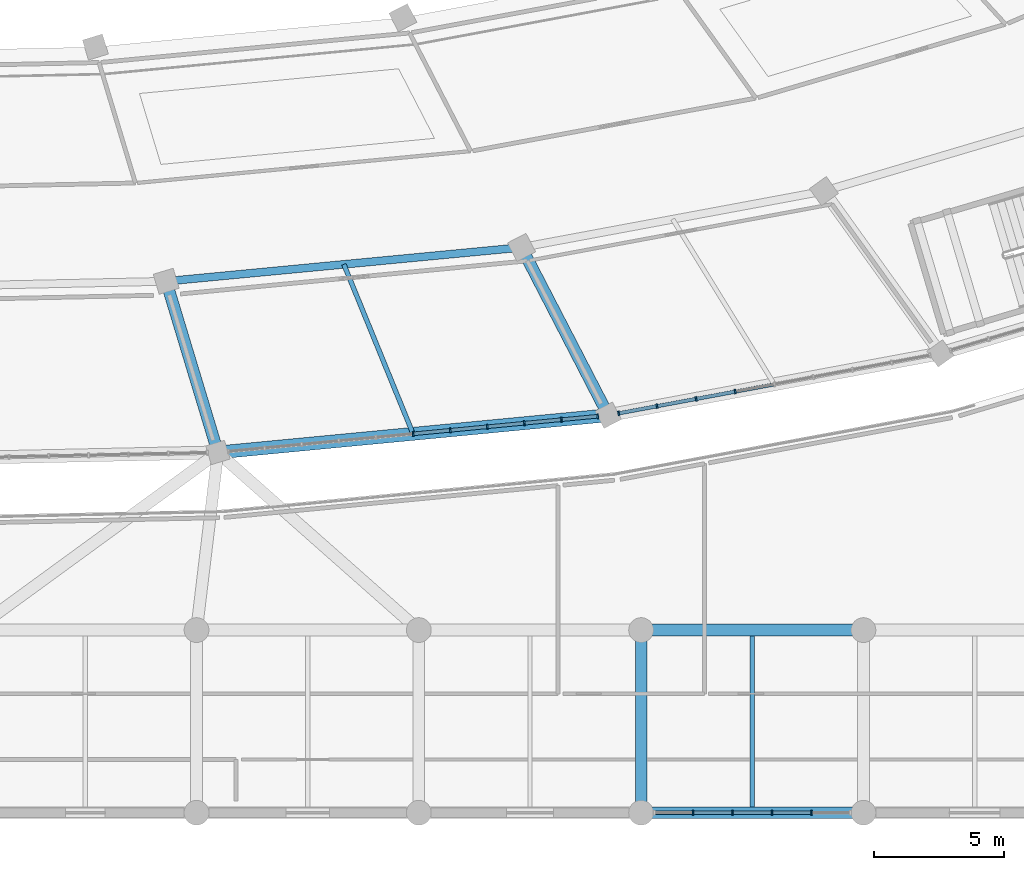
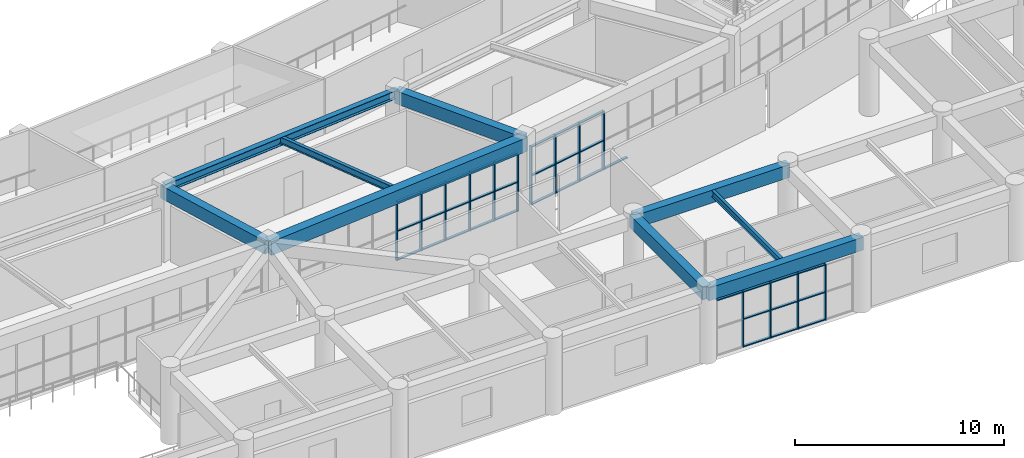
# One storey, part 32 of 141: 49 members, 9 beams, 3 elements without a shape of their own.
"""IFC4 building model written with IfcOpenShell, lengths in metres."""

from ifc_helpers import new_model, si_unit, direction, frame, origin, origin_2d, place, context, subcontext, project, spatial, rectangle, i_section, extrude, material, layer, layer_set, material_profile, profile_set, type_object, element, aggregate, save


model = new_model("IFC4")

# Units and contexts
model_context = context("Model", 3, precision=1e-05, world=origin(), true_north=direction((0.0, 1.0)))
body_context = subcontext(model_context, "Body", "Model", "MODEL_VIEW")
ifc_project = project(units=[si_unit("LENGTHUNIT", "METRE"), si_unit("AREAUNIT", "SQUARE_METRE"), si_unit("VOLUMEUNIT", "CUBIC_METRE"), si_unit("PLANEANGLEUNIT", "RADIAN"), si_unit("MASSUNIT", "GRAM", prefix="KILO")], contexts=[model_context])

# Site, building, storey
site_placement = place(None, origin())
site = spatial("IfcSite", under=ifc_project, at=site_placement, CompositionType="ELEMENT")
building_placement = place(site_placement, origin())
building = spatial("IfcBuilding", under=site, at=building_placement, Name="Mphavela Belvedere Stadium", CompositionType="ELEMENT")
storey_placement = place(building_placement, frame((0.0, 0.0, 14.699951171875)))
storey = spatial("IfcBuildingStorey", under=building, at=storey_placement, Name="L03", CompositionType="ELEMENT", Elevation=14.699951171875)

# Beams
ifc_material_1 = material(Name="Steel S355", Category="steel")
ifc_material_profile_1 = material_profile(ifc_material_1, i_section(OverallWidth=0.169921875, OverallDepth=0.360107421875, WebThickness=0.008056640625, FlangeThickness=0.0126953125, at=origin_2d()), Name="IPE 360")
ifc_profile_set_1 = profile_set([ifc_material_profile_1], Name="Steel S355")
beam_type_1 = type_object("IfcBeamType", Name="BM-JOIST-IPE360", PredefinedType="JOIST", material=ifc_profile_set_1)
beam_1_placement = place(storey_placement, frame((157.592529296875, 0.22509765625, 4.06005859375), z_axis=(0.0, 1.0, 0.0), x_axis=(-1.0, 0.0, 0.0)))
element("IfcBeam", 1, at=beam_1_placement, inside=storey, type_object=beam_type_1, Name="South Axial Triumphal Peristyle Portico secondary joist L03 19-1", PredefinedType="JOIST", context=body_context, shape_type="SweptSolid", body=[
    extrude(i_section(OverallWidth=0.169921875, OverallDepth=0.360107421875, WebThickness=0.008056640625, FlangeThickness=0.0126953125, at=origin_2d()), origin(), (0.0, 0.0, 1.0), 6.5498046875),
])
ifc_material_2 = material(Name="Steel S355", Category="steel")
ifc_material_profile_2 = material_profile(ifc_material_2, i_section(OverallWidth=0.179931640625, OverallDepth=0.39990234375, WebThickness=0.008544921875, FlangeThickness=0.013427734375, at=origin_2d()), Name="IPE 400")
ifc_profile_set_2 = profile_set([ifc_material_profile_2], Name="Steel S355")
beam_type_2 = type_object("IfcBeamType", Name="BM-JOIST-IPE400", PredefinedType="JOIST", material=ifc_profile_set_2)
beam_2_placement = place(storey_placement, frame((141.94140625, 21.015380859375, 4.050048828125), z_axis=(0.378004122754, -0.925803911841, 0.0), x_axis=(0.925803911841, 0.378004122754, 0.0)))
element("IfcBeam", 2, at=beam_2_placement, inside=storey, type_object=beam_type_2, Name="Concourse floor joist L03-38", PredefinedType="JOIST", context=body_context, shape_type="SweptSolid", body=[
    extrude(i_section(OverallWidth=0.179931640625, OverallDepth=0.39990234375, WebThickness=0.008544921875, FlangeThickness=0.013427734375, at=origin_2d()), origin(), (0.0, 0.0, 1.0), 7.0166015625),
])
ifc_material_3 = material(Name="Concrete C40/50", Category="concrete")
ifc_material_profile_3 = material_profile(ifc_material_3, rectangle(XDim=0.449951171875, YDim=0.75, at=origin_2d()), Name="RC 450x750")
ifc_profile_set_3 = profile_set([ifc_material_profile_3], Name="Concrete C40/50")
beam_type_3 = type_object("IfcBeamType", Name="BM-RC450x750", PredefinedType="BEAM", material=ifc_profile_set_3)
beam_3_placement = place(storey_placement, frame((135.1328125, 20.365966796875, 3.875), z_axis=(0.28918755919, -0.95727245631, 0.0), x_axis=(0.95727245631, 0.28918755919, 0.0)))
element("IfcBeam", 3, at=beam_3_placement, inside=storey, type_object=beam_type_3, Name="Radial concourse girder L03 R3R4-38", PredefinedType="BEAM", context=body_context, shape_type="SweptSolid", body=[
    extrude(rectangle(XDim=0.449951171875, YDim=0.75, at=origin_2d()), origin(), (0.0, 0.0, 1.0), 6.8525390625),
])
beam_4_placement = place(storey_placement, frame((148.750244140625, 21.66455078125, 3.875), z_axis=(0.458951286165, -0.888461432436, 0.0), x_axis=(0.888461432436, 0.458951286165, 0.0)))
element("IfcBeam", 4, at=beam_4_placement, inside=storey, type_object=beam_type_3, Name="Radial concourse girder L03 R3R4-39", PredefinedType="BEAM", context=body_context, shape_type="SweptSolid", body=[
    extrude(rectangle(XDim=0.449951171875, YDim=0.75, at=origin_2d()), origin(), (0.0, 0.0, 1.0), 7.2392578125),
])
beam_5_placement = place(storey_placement, frame((153.3330078125, 0.0, 3.864990234375), z_axis=(1.0, 0.0, 0.0), x_axis=(0.0, 1.0, 0.0)))
element("IfcBeam", 5, at=beam_5_placement, inside=storey, type_object=beam_type_3, Name="South Axial Triumphal Peristyle Portico entablature beam X L03 19-1", PredefinedType="BEAM", context=body_context, shape_type="SweptSolid", body=[
    extrude(rectangle(XDim=0.449951171875, YDim=0.75, at=origin_2d()), origin(), (0.0, 0.0, 1.0), 8.51904296875),
])
beam_6_placement = place(storey_placement, frame((153.3330078125, 0.0, 3.864990234375), z_axis=(0.0, 1.0, 0.0), x_axis=(-1.0, 0.0, 0.0)))
element("IfcBeam", 6, at=beam_6_placement, inside=storey, type_object=beam_type_3, Name="South Axial Triumphal Peristyle Portico entablature beam Y L03 19-1", PredefinedType="BEAM", context=body_context, shape_type="SweptSolid", body=[
    extrude(rectangle(XDim=0.449951171875, YDim=0.75, at=origin_2d()), origin(), (0.0, 0.0, 1.0), 7.0),
])
beam_7_placement = place(storey_placement, frame((153.3330078125, 7.0, 3.864990234375), z_axis=(1.0, 0.0, 0.0), x_axis=(0.0, 1.0, 0.0)))
element("IfcBeam", 7, at=beam_7_placement, inside=storey, type_object=beam_type_3, Name="South Axial Triumphal Peristyle Portico entablature beam X L03 19-2", PredefinedType="BEAM", context=body_context, shape_type="SweptSolid", body=[
    extrude(rectangle(XDim=0.449951171875, YDim=0.75, at=origin_2d()), origin(), (0.0, 0.0, 1.0), 8.51904296875),
])
ifc_material_4 = material(Name="Concrete C40/50", Category="concrete")
ifc_material_profile_4 = material_profile(ifc_material_4, rectangle(XDim=0.5, YDim=0.800048828125, at=origin_2d()), Name="RC 500x800")
ifc_profile_set_4 = profile_set([ifc_material_profile_4], Name="Concrete C40/50")
beam_type_4 = type_object("IfcBeamType", Name="BM-SPANDREL-800", PredefinedType="SPANDREL", material=ifc_profile_set_4)
beam_8_placement = place(storey_placement, frame((137.114501953125, 13.80615234375, 3.85009765625), z_axis=(0.995483415661, 0.094935605244, 0.0), x_axis=(-0.094935605244, 0.995483415661, 0.0)))
element("IfcBeam", 8, at=beam_8_placement, inside=storey, type_object=beam_type_4, Name="Circumferential girder L03 R4-38", PredefinedType="SPANDREL", context=body_context, shape_type="SweptSolid", body=[
    extrude(rectangle(XDim=0.5, YDim=0.800048828125, at=origin_2d()), origin(), (0.0, 0.0, 1.0), 15.026123046875),
])
ifc_material_5 = material(Name="Steel S355", Category="steel")
ifc_material_profile_5 = material_profile(ifc_material_5, i_section(OverallWidth=0.300048828125, OverallDepth=0.489990234375, WebThickness=0.011962890625, FlangeThickness=0.02294921875, at=origin_2d()), Name="HEA 500")
ifc_profile_set_5 = profile_set([ifc_material_profile_5], Name="Steel S355")
beam_type_5 = type_object("IfcBeamType", Name="BM-STEEL-HEA500", PredefinedType="BEAM", material=ifc_profile_set_5)
beam_9_placement = place(storey_placement, frame((135.1328125, 20.365966796875, 4.005126953125), z_axis=(0.995483834103, 0.094931217412, 0.0), x_axis=(-0.094931217412, 0.995483834103, 0.0)))
element("IfcBeam", 9, at=beam_9_placement, inside=storey, type_object=beam_type_5, Name="Circumferential girder L03 R3-38", PredefinedType="BEAM", context=body_context, shape_type="SweptSolid", body=[
    extrude(i_section(OverallWidth=0.300048828125, OverallDepth=0.489990234375, WebThickness=0.011962890625, FlangeThickness=0.02294921875, at=origin_2d()), origin(), (0.0, 0.0, 1.0), 13.67919921875),
])

# Curtain wall, members
ifc_material_6 = material(Name="Anodised bronze unitised curtain wall framing")
ifc_layer_1 = layer(ifc_material_6, 0.18505859375)
ifc_layer_set_1 = layer_set([ifc_layer_1], Name="Anodised bronze unitised curtain wall framing")
curtain_wall_type_1 = type_object("IfcCurtainWallType", Name="CW-UNIT-02", PredefinedType="USERDEFINED", material=ifc_layer_set_1)
curtain_wall_1_placement = place(storey_placement, origin())
curtain_wall_1 = element("IfcCurtainWall", 10, at=curtain_wall_1_placement, inside=storey, type_object=curtain_wall_type_1, Name="Belvedere colonnade curtain wall L03-38", ObjectType="UNITISED CURTAIN WALL", PredefinedType="USERDEFINED")
ifc_material_7 = material(Name="Anodised bronze extruded aluminium", Category="aluminium")
ifc_material_profile_6 = material_profile(ifc_material_7, rectangle(XDim=0.179931640625, YDim=0.06494140625, at=origin_2d()), Name="CW-MUL 180x65")
ifc_profile_set_6 = profile_set([ifc_material_profile_6], Name="Anodised bronze extruded aluminium")
member_type_1 = type_object("IfcMemberType", Name="CWM-180x65", PredefinedType="MULLION", material=ifc_profile_set_6)
member_1_placement = place(storey_placement, frame((144.59375, 14.519287109375, 0.0), z_axis=(0.0, 0.0, 1.0), x_axis=(-0.094929381996, 0.99548400913, 0.0)))
member_1 = element("IfcMember", 11, at=member_1_placement, type_object=member_type_1, Name="CW-02 mullion 6", PredefinedType="MULLION", context=body_context, shape_type="SweptSolid", body=[
    extrude(rectangle(XDim=0.179931640625, YDim=0.06494140625, at=origin_2d()), origin(), (0.0, 0.0, 1.0), 3.420166015625),
])
member_2_placement = place(storey_placement, frame((146.015380859375, 14.655029296875, 0.0), z_axis=(0.0, 0.0, 1.0), x_axis=(-0.094929381996, 0.99548400913, 0.0)))
member_2 = element("IfcMember", 12, at=member_2_placement, type_object=member_type_1, Name="CW-02 mullion 7", PredefinedType="MULLION", context=body_context, shape_type="SweptSolid", body=[
    extrude(rectangle(XDim=0.179931640625, YDim=0.06494140625, at=origin_2d()), origin(), (0.0, 0.0, 1.0), 3.420166015625),
])
member_3_placement = place(storey_placement, frame((147.436767578125, 14.79052734375, 0.0), z_axis=(0.0, 0.0, 1.0), x_axis=(-0.094929381996, 0.99548400913, 0.0)))
member_3 = element("IfcMember", 13, at=member_3_placement, type_object=member_type_1, Name="CW-02 mullion 8", PredefinedType="MULLION", context=body_context, shape_type="SweptSolid", body=[
    extrude(rectangle(XDim=0.179931640625, YDim=0.06494140625, at=origin_2d()), origin(), (0.0, 0.0, 1.0), 3.420166015625),
])
member_4_placement = place(storey_placement, frame((148.8583984375, 14.926025390625, 0.0), z_axis=(0.0, 0.0, 1.0), x_axis=(-0.094929381996, 0.99548400913, 0.0)))
member_4 = element("IfcMember", 14, at=member_4_placement, type_object=member_type_1, Name="CW-02 mullion 9", PredefinedType="MULLION", context=body_context, shape_type="SweptSolid", body=[
    extrude(rectangle(XDim=0.179931640625, YDim=0.06494140625, at=origin_2d()), origin(), (0.0, 0.0, 1.0), 3.420166015625),
])
member_5_placement = place(storey_placement, frame((150.280029296875, 15.0615234375, 0.0), z_axis=(0.0, 0.0, 1.0), x_axis=(-0.094929381996, 0.99548400913, 0.0)))
member_5 = element("IfcMember", 15, at=member_5_placement, type_object=member_type_1, Name="CW-02 mullion 10", PredefinedType="MULLION", context=body_context, shape_type="SweptSolid", body=[
    extrude(rectangle(XDim=0.179931640625, YDim=0.06494140625, at=origin_2d()), origin(), (0.0, 0.0, 1.0), 3.420166015625),
])
member_6_placement = place(storey_placement, frame((151.669189453125, 15.194091796875, 0.0), z_axis=(0.0, 0.0, 1.0), x_axis=(-0.094929381996, 0.99548400913, 0.0)))
member_6 = element("IfcMember", 16, at=member_6_placement, type_object=member_type_1, Name="CW-02 mullion 11", PredefinedType="MULLION", context=body_context, shape_type="SweptSolid", body=[
    extrude(rectangle(XDim=0.179931640625, YDim=0.06494140625, at=origin_2d()), origin(), (0.0, 0.0, 1.0), 3.420166015625),
])

ifc_material_8 = material(Name="Anodised bronze unitised curtain wall framing")
ifc_layer_2 = layer(ifc_material_8, 0.18994140625)
ifc_layer_set_2 = layer_set([ifc_layer_2], Name="Anodised bronze unitised curtain wall framing")
curtain_wall_type_2 = type_object("IfcCurtainWallType", Name="CW-UNIT-03", PredefinedType="USERDEFINED", material=ifc_layer_set_2)
curtain_wall_2_placement = place(storey_placement, origin())
curtain_wall_2 = element("IfcCurtainWall", 17, at=curtain_wall_2_placement, inside=storey, type_object=curtain_wall_type_2, Name="Belvedere colonnade curtain wall L03-39", ObjectType="UNITISED CURTAIN WALL", PredefinedType="USERDEFINED")
member_7_placement = place(storey_placement, frame((152.471435546875, 15.306884765625, 0.0), z_axis=(0.0, 0.0, 1.0), x_axis=(-0.18308790129, 0.983096546836, 0.0)))
member_7 = element("IfcMember", 18, at=member_7_placement, type_object=member_type_1, Name="CW-03 mullion 1", PredefinedType="MULLION", context=body_context, shape_type="SweptSolid", body=[
    extrude(rectangle(XDim=0.179931640625, YDim=0.06494140625, at=origin_2d()), origin(), (0.0, 0.0, 1.0), 3.420166015625),
])
member_8_placement = place(storey_placement, frame((153.93896484375, 15.580078125, 0.0), z_axis=(0.0, 0.0, 1.0), x_axis=(-0.18308790129, 0.983096546836, 0.0)))
member_8 = element("IfcMember", 19, at=member_8_placement, type_object=member_type_1, Name="CW-03 mullion 2", PredefinedType="MULLION", context=body_context, shape_type="SweptSolid", body=[
    extrude(rectangle(XDim=0.179931640625, YDim=0.06494140625, at=origin_2d()), origin(), (0.0, 0.0, 1.0), 3.420166015625),
])
member_9_placement = place(storey_placement, frame((155.438232421875, 15.859375, 0.0), z_axis=(0.0, 0.0, 1.0), x_axis=(-0.18308790129, 0.983096546836, 0.0)))
member_9 = element("IfcMember", 20, at=member_9_placement, type_object=member_type_1, Name="CW-03 mullion 3", PredefinedType="MULLION", context=body_context, shape_type="SweptSolid", body=[
    extrude(rectangle(XDim=0.179931640625, YDim=0.06494140625, at=origin_2d()), origin(), (0.0, 0.0, 1.0), 3.420166015625),
])
member_10_placement = place(storey_placement, frame((156.937744140625, 16.138671875, 0.0), z_axis=(0.0, 0.0, 1.0), x_axis=(-0.18308790129, 0.983096546836, 0.0)))
member_10 = element("IfcMember", 21, at=member_10_placement, type_object=member_type_1, Name="CW-03 mullion 4", PredefinedType="MULLION", context=body_context, shape_type="SweptSolid", body=[
    extrude(rectangle(XDim=0.179931640625, YDim=0.06494140625, at=origin_2d()), origin(), (0.0, 0.0, 1.0), 3.420166015625),
])

ifc_material_9 = material(Name="Anodised bronze unitised curtain wall framing")
ifc_layer_3 = layer(ifc_material_9, 0.179931640625)
ifc_layer_set_3 = layer_set([ifc_layer_3], Name="Anodised bronze unitised curtain wall framing")
curtain_wall_type_3 = type_object("IfcCurtainWallType", Name="CW-UNIT-01", PredefinedType="USERDEFINED", material=ifc_layer_set_3)
curtain_wall_3_placement = place(storey_placement, origin())
curtain_wall_3 = element("IfcCurtainWall", 22, at=curtain_wall_3_placement, inside=storey, type_object=curtain_wall_type_3, Name="South Axial Triumphal Peristyle Portico gallery curtain wall L03-19", ObjectType="UNITISED CURTAIN WALL", PredefinedType="USERDEFINED")
member_11_placement = place(storey_placement, frame((159.864501953125, 0.0, 0.0), z_axis=(0.0, 0.0, 1.0), x_axis=(0.0, -1.0, 0.0)))
member_11 = element("IfcMember", 23, at=member_11_placement, type_object=member_type_1, Name="CW-01 mullion 2", PredefinedType="MULLION", context=body_context, shape_type="SweptSolid", body=[
    extrude(rectangle(XDim=0.179931640625, YDim=0.06494140625, at=origin_2d()), origin(), (0.0, 0.0, 1.0), 3.260009765625),
])
member_12_placement = place(storey_placement, frame((158.349853515625, 0.0, 0.0), z_axis=(0.0, 0.0, 1.0), x_axis=(0.0, -1.0, 0.0)))
member_12 = element("IfcMember", 24, at=member_12_placement, type_object=member_type_1, Name="CW-01 mullion 3", PredefinedType="MULLION", context=body_context, shape_type="SweptSolid", body=[
    extrude(rectangle(XDim=0.179931640625, YDim=0.06494140625, at=origin_2d()), origin(), (0.0, 0.0, 1.0), 3.260009765625),
])
member_13_placement = place(storey_placement, frame((156.835205078125, 0.0, 0.0), z_axis=(0.0, 0.0, 1.0), x_axis=(0.0, -1.0, 0.0)))
member_13 = element("IfcMember", 25, at=member_13_placement, type_object=member_type_1, Name="CW-01 mullion 4", PredefinedType="MULLION", context=body_context, shape_type="SweptSolid", body=[
    extrude(rectangle(XDim=0.179931640625, YDim=0.06494140625, at=origin_2d()), origin(), (0.0, 0.0, 1.0), 3.260009765625),
])
member_14_placement = place(storey_placement, frame((155.320556640625, 0.0, 0.0), z_axis=(0.0, 0.0, 1.0), x_axis=(0.0, -1.0, 0.0)))
member_14 = element("IfcMember", 26, at=member_14_placement, type_object=member_type_1, Name="CW-01 mullion 5", PredefinedType="MULLION", context=body_context, shape_type="SweptSolid", body=[
    extrude(rectangle(XDim=0.179931640625, YDim=0.06494140625, at=origin_2d()), origin(), (0.0, 0.0, 1.0), 3.260009765625),
])

# Member
ifc_material_10 = material(Name="Anodised bronze extruded aluminium", Category="aluminium")
ifc_material_profile_7 = material_profile(ifc_material_10, rectangle(XDim=0.139892578125, YDim=0.06005859375, at=origin_2d()), Name="CW-TRN 140x60")
ifc_profile_set_7 = profile_set([ifc_material_profile_7], Name="Anodised bronze extruded aluminium")
member_type_2 = type_object("IfcMemberType", Name="CWT-140x60", PredefinedType="USERDEFINED", material=ifc_profile_set_7)
member_15_placement = place(storey_placement, frame((144.6259765625, 14.5224609375, 0.030029296875), z_axis=(0.995484195822, 0.094927424215, 0.0), x_axis=(-0.094927424215, 0.995484195822, 0.0)))
member_15 = element("IfcMember", 27, at=member_15_placement, type_object=member_type_2, Name="CW-02 transom 6.1", ObjectType="TRANSOM", PredefinedType="USERDEFINED", context=body_context, shape_type="SweptSolid", body=[
    extrude(rectangle(XDim=0.139892578125, YDim=0.06005859375, at=origin_2d()), origin(), (0.0, 0.0, 1.0), 1.363037109375),
])

member_16_placement = place(storey_placement, frame((144.6259765625, 14.5224609375, 1.7099609375), z_axis=(0.995484195822, 0.094927424215, 0.0), x_axis=(-0.094927424215, 0.995484195822, 0.0)))
member_16 = element("IfcMember", 28, at=member_16_placement, type_object=member_type_2, Name="CW-02 transom 6.2", ObjectType="TRANSOM", PredefinedType="USERDEFINED", context=body_context, shape_type="SweptSolid", body=[
    extrude(rectangle(XDim=0.139892578125, YDim=0.06005859375, at=origin_2d()), origin(), (0.0, 0.0, 1.0), 1.363037109375),
])

member_17_placement = place(storey_placement, frame((144.6259765625, 14.5224609375, 3.39013671875), z_axis=(0.995484195822, 0.094927424215, 0.0), x_axis=(-0.094927424215, 0.995484195822, 0.0)))
member_17 = element("IfcMember", 29, at=member_17_placement, type_object=member_type_2, Name="CW-02 transom 6.3", ObjectType="TRANSOM", PredefinedType="USERDEFINED", context=body_context, shape_type="SweptSolid", body=[
    extrude(rectangle(XDim=0.139892578125, YDim=0.06005859375, at=origin_2d()), origin(), (0.0, 0.0, 1.0), 1.363037109375),
])

member_18_placement = place(storey_placement, frame((146.047607421875, 14.657958984375, 0.030029296875), z_axis=(0.995484195822, 0.094927424215, 0.0), x_axis=(-0.094927424215, 0.995484195822, 0.0)))
member_18 = element("IfcMember", 30, at=member_18_placement, type_object=member_type_2, Name="CW-02 transom 7.1", ObjectType="TRANSOM", PredefinedType="USERDEFINED", context=body_context, shape_type="SweptSolid", body=[
    extrude(rectangle(XDim=0.139892578125, YDim=0.06005859375, at=origin_2d()), origin(), (0.0, 0.0, 1.0), 1.363037109375),
])

member_19_placement = place(storey_placement, frame((146.047607421875, 14.657958984375, 1.7099609375), z_axis=(0.995484195822, 0.094927424215, 0.0), x_axis=(-0.094927424215, 0.995484195822, 0.0)))
member_19 = element("IfcMember", 31, at=member_19_placement, type_object=member_type_2, Name="CW-02 transom 7.2", ObjectType="TRANSOM", PredefinedType="USERDEFINED", context=body_context, shape_type="SweptSolid", body=[
    extrude(rectangle(XDim=0.139892578125, YDim=0.06005859375, at=origin_2d()), origin(), (0.0, 0.0, 1.0), 1.363037109375),
])

member_20_placement = place(storey_placement, frame((146.047607421875, 14.657958984375, 3.39013671875), z_axis=(0.995484195822, 0.094927424215, 0.0), x_axis=(-0.094927424215, 0.995484195822, 0.0)))
member_20 = element("IfcMember", 32, at=member_20_placement, type_object=member_type_2, Name="CW-02 transom 7.3", ObjectType="TRANSOM", PredefinedType="USERDEFINED", context=body_context, shape_type="SweptSolid", body=[
    extrude(rectangle(XDim=0.139892578125, YDim=0.06005859375, at=origin_2d()), origin(), (0.0, 0.0, 1.0), 1.363037109375),
])

member_21_placement = place(storey_placement, frame((147.46923828125, 14.793701171875, 0.030029296875), z_axis=(0.995482581407, 0.094944352734, 0.0), x_axis=(-0.094944352734, 0.995482581407, 0.0)))
member_21 = element("IfcMember", 33, at=member_21_placement, type_object=member_type_2, Name="CW-02 transom 8.1", ObjectType="TRANSOM", PredefinedType="USERDEFINED", context=body_context, shape_type="SweptSolid", body=[
    extrude(rectangle(XDim=0.139892578125, YDim=0.06005859375, at=origin_2d()), origin(), (0.0, 0.0, 1.0), 1.36279296875),
])

member_22_placement = place(storey_placement, frame((147.46923828125, 14.793701171875, 1.7099609375), z_axis=(0.995482581407, 0.094944352734, 0.0), x_axis=(-0.094944352734, 0.995482581407, 0.0)))
member_22 = element("IfcMember", 34, at=member_22_placement, type_object=member_type_2, Name="CW-02 transom 8.2", ObjectType="TRANSOM", PredefinedType="USERDEFINED", context=body_context, shape_type="SweptSolid", body=[
    extrude(rectangle(XDim=0.139892578125, YDim=0.06005859375, at=origin_2d()), origin(), (0.0, 0.0, 1.0), 1.36279296875),
])

member_23_placement = place(storey_placement, frame((147.46923828125, 14.793701171875, 3.39013671875), z_axis=(0.995482581407, 0.094944352734, 0.0), x_axis=(-0.094944352734, 0.995482581407, 0.0)))
member_23 = element("IfcMember", 35, at=member_23_placement, type_object=member_type_2, Name="CW-02 transom 8.3", ObjectType="TRANSOM", PredefinedType="USERDEFINED", context=body_context, shape_type="SweptSolid", body=[
    extrude(rectangle(XDim=0.139892578125, YDim=0.06005859375, at=origin_2d()), origin(), (0.0, 0.0, 1.0), 1.36279296875),
])

member_24_placement = place(storey_placement, frame((148.890625, 14.92919921875, 0.030029296875), z_axis=(0.995484195822, 0.094927424215, 0.0), x_axis=(-0.094927424215, 0.995484195822, 0.0)))
member_24 = element("IfcMember", 36, at=member_24_placement, type_object=member_type_2, Name="CW-02 transom 9.1", ObjectType="TRANSOM", PredefinedType="USERDEFINED", context=body_context, shape_type="SweptSolid", body=[
    extrude(rectangle(XDim=0.139892578125, YDim=0.06005859375, at=origin_2d()), origin(), (0.0, 0.0, 1.0), 1.363037109375),
])

member_25_placement = place(storey_placement, frame((148.890625, 14.92919921875, 1.7099609375), z_axis=(0.995484195822, 0.094927424215, 0.0), x_axis=(-0.094927424215, 0.995484195822, 0.0)))
member_25 = element("IfcMember", 37, at=member_25_placement, type_object=member_type_2, Name="CW-02 transom 9.2", ObjectType="TRANSOM", PredefinedType="USERDEFINED", context=body_context, shape_type="SweptSolid", body=[
    extrude(rectangle(XDim=0.139892578125, YDim=0.06005859375, at=origin_2d()), origin(), (0.0, 0.0, 1.0), 1.363037109375),
])

member_26_placement = place(storey_placement, frame((148.890625, 14.92919921875, 3.39013671875), z_axis=(0.995484195822, 0.094927424215, 0.0), x_axis=(-0.094927424215, 0.995484195822, 0.0)))
member_26 = element("IfcMember", 38, at=member_26_placement, type_object=member_type_2, Name="CW-02 transom 9.3", ObjectType="TRANSOM", PredefinedType="USERDEFINED", context=body_context, shape_type="SweptSolid", body=[
    extrude(rectangle(XDim=0.139892578125, YDim=0.06005859375, at=origin_2d()), origin(), (0.0, 0.0, 1.0), 1.363037109375),
])

member_27_placement = place(storey_placement, frame((150.312255859375, 15.064697265625, 0.030029296875), z_axis=(0.995489697702, 0.09486970944, 0.0), x_axis=(-0.09486970944, 0.995489697702, 0.0)))
member_27 = element("IfcMember", 39, at=member_27_placement, type_object=member_type_2, Name="CW-02 transom 10.1", ObjectType="TRANSOM", PredefinedType="USERDEFINED", context=body_context, shape_type="SweptSolid", body=[
    extrude(rectangle(XDim=0.139892578125, YDim=0.06005859375, at=origin_2d()), origin(), (0.0, 0.0, 1.0), 1.33056640625),
])

member_28_placement = place(storey_placement, frame((150.312255859375, 15.064697265625, 1.7099609375), z_axis=(0.995489697702, 0.09486970944, 0.0), x_axis=(-0.09486970944, 0.995489697702, 0.0)))
member_28 = element("IfcMember", 40, at=member_28_placement, type_object=member_type_2, Name="CW-02 transom 10.2", ObjectType="TRANSOM", PredefinedType="USERDEFINED", context=body_context, shape_type="SweptSolid", body=[
    extrude(rectangle(XDim=0.139892578125, YDim=0.06005859375, at=origin_2d()), origin(), (0.0, 0.0, 1.0), 1.33056640625),
])

member_29_placement = place(storey_placement, frame((150.312255859375, 15.064697265625, 3.39013671875), z_axis=(0.995489697702, 0.09486970944, 0.0), x_axis=(-0.09486970944, 0.995489697702, 0.0)))
member_29 = element("IfcMember", 41, at=member_29_placement, type_object=member_type_2, Name="CW-02 transom 10.3", ObjectType="TRANSOM", PredefinedType="USERDEFINED", context=body_context, shape_type="SweptSolid", body=[
    extrude(rectangle(XDim=0.139892578125, YDim=0.06005859375, at=origin_2d()), origin(), (0.0, 0.0, 1.0), 1.33056640625),
])

aggregate(curtain_wall_1, [member_1, member_2, member_3, member_4, member_5, member_6, member_15, member_16, member_17, member_18, member_19, member_20, member_21, member_22, member_23, member_24, member_25, member_26, member_27, member_28, member_29])

member_30_placement = place(storey_placement, frame((152.50341796875, 15.312744140625, 0.030029296875), z_axis=(0.983086399659, 0.183142378507, 0.0), x_axis=(-0.183142378507, 0.983086399659, 0.0)))
member_30 = element("IfcMember", 42, at=member_30_placement, type_object=member_type_2, Name="CW-03 transom 1.1", ObjectType="TRANSOM", PredefinedType="USERDEFINED", context=body_context, shape_type="SweptSolid", body=[
    extrude(rectangle(XDim=0.139892578125, YDim=0.06005859375, at=origin_2d()), origin(), (0.0, 0.0, 1.0), 1.427734375),
])

member_31_placement = place(storey_placement, frame((152.50341796875, 15.312744140625, 1.7099609375), z_axis=(0.983086399659, 0.183142378507, 0.0), x_axis=(-0.183142378507, 0.983086399659, 0.0)))
member_31 = element("IfcMember", 43, at=member_31_placement, type_object=member_type_2, Name="CW-03 transom 1.2", ObjectType="TRANSOM", PredefinedType="USERDEFINED", context=body_context, shape_type="SweptSolid", body=[
    extrude(rectangle(XDim=0.139892578125, YDim=0.06005859375, at=origin_2d()), origin(), (0.0, 0.0, 1.0), 1.427734375),
])

member_32_placement = place(storey_placement, frame((152.50341796875, 15.312744140625, 3.39013671875), z_axis=(0.983086399659, 0.183142378507, 0.0), x_axis=(-0.183142378507, 0.983086399659, 0.0)))
member_32 = element("IfcMember", 44, at=member_32_placement, type_object=member_type_2, Name="CW-03 transom 1.3", ObjectType="TRANSOM", PredefinedType="USERDEFINED", context=body_context, shape_type="SweptSolid", body=[
    extrude(rectangle(XDim=0.139892578125, YDim=0.06005859375, at=origin_2d()), origin(), (0.0, 0.0, 1.0), 1.427734375),
])

member_33_placement = place(storey_placement, frame((153.970947265625, 15.586181640625, 0.030029296875), z_axis=(0.983092966177, 0.183107126716, 0.0), x_axis=(-0.183107126716, 0.983092966177, 0.0)))
member_33 = element("IfcMember", 45, at=member_33_placement, type_object=member_type_2, Name="CW-03 transom 2.1", ObjectType="TRANSOM", PredefinedType="USERDEFINED", context=body_context, shape_type="SweptSolid", body=[
    extrude(rectangle(XDim=0.139892578125, YDim=0.06005859375, at=origin_2d()), origin(), (0.0, 0.0, 1.0), 1.4599609375),
])

member_34_placement = place(storey_placement, frame((153.970947265625, 15.586181640625, 1.7099609375), z_axis=(0.983092966177, 0.183107126716, 0.0), x_axis=(-0.183107126716, 0.983092966177, 0.0)))
member_34 = element("IfcMember", 46, at=member_34_placement, type_object=member_type_2, Name="CW-03 transom 2.2", ObjectType="TRANSOM", PredefinedType="USERDEFINED", context=body_context, shape_type="SweptSolid", body=[
    extrude(rectangle(XDim=0.139892578125, YDim=0.06005859375, at=origin_2d()), origin(), (0.0, 0.0, 1.0), 1.4599609375),
])

member_35_placement = place(storey_placement, frame((153.970947265625, 15.586181640625, 3.39013671875), z_axis=(0.983092966177, 0.183107126716, 0.0), x_axis=(-0.183107126716, 0.983092966177, 0.0)))
member_35 = element("IfcMember", 47, at=member_35_placement, type_object=member_type_2, Name="CW-03 transom 2.3", ObjectType="TRANSOM", PredefinedType="USERDEFINED", context=body_context, shape_type="SweptSolid", body=[
    extrude(rectangle(XDim=0.139892578125, YDim=0.06005859375, at=origin_2d()), origin(), (0.0, 0.0, 1.0), 1.4599609375),
])

member_36_placement = place(storey_placement, frame((155.47021484375, 15.865234375, 0.030029296875), z_axis=(0.983098571421, 0.183077029882, 0.0), x_axis=(-0.183077029882, 0.983098571421, 0.0)))
member_36 = element("IfcMember", 48, at=member_36_placement, type_object=member_type_2, Name="CW-03 transom 3.1", ObjectType="TRANSOM", PredefinedType="USERDEFINED", context=body_context, shape_type="SweptSolid", body=[
    extrude(rectangle(XDim=0.139892578125, YDim=0.06005859375, at=origin_2d()), origin(), (0.0, 0.0, 1.0), 1.460205078125),
])

member_37_placement = place(storey_placement, frame((155.47021484375, 15.865234375, 1.7099609375), z_axis=(0.983098571421, 0.183077029882, 0.0), x_axis=(-0.183077029882, 0.983098571421, 0.0)))
member_37 = element("IfcMember", 49, at=member_37_placement, type_object=member_type_2, Name="CW-03 transom 3.2", ObjectType="TRANSOM", PredefinedType="USERDEFINED", context=body_context, shape_type="SweptSolid", body=[
    extrude(rectangle(XDim=0.139892578125, YDim=0.06005859375, at=origin_2d()), origin(), (0.0, 0.0, 1.0), 1.460205078125),
])

member_38_placement = place(storey_placement, frame((155.47021484375, 15.865234375, 3.39013671875), z_axis=(0.983098571421, 0.183077029882, 0.0), x_axis=(-0.183077029882, 0.983098571421, 0.0)))
member_38 = element("IfcMember", 50, at=member_38_placement, type_object=member_type_2, Name="CW-03 transom 3.3", ObjectType="TRANSOM", PredefinedType="USERDEFINED", context=body_context, shape_type="SweptSolid", body=[
    extrude(rectangle(XDim=0.139892578125, YDim=0.06005859375, at=origin_2d()), origin(), (0.0, 0.0, 1.0), 1.460205078125),
])

member_39_placement = place(storey_placement, frame((156.969482421875, 16.14453125, 0.030029296875), z_axis=(0.983098571421, 0.183077029882, 0.0), x_axis=(-0.183077029882, 0.983098571421, 0.0)))
member_39 = element("IfcMember", 51, at=member_39_placement, type_object=member_type_2, Name="CW-03 transom 4.1", ObjectType="TRANSOM", PredefinedType="USERDEFINED", context=body_context, shape_type="SweptSolid", body=[
    extrude(rectangle(XDim=0.139892578125, YDim=0.06005859375, at=origin_2d()), origin(), (0.0, 0.0, 1.0), 1.460205078125),
])

aggregate(curtain_wall_2, [member_7, member_8, member_9, member_10, member_30, member_31, member_32, member_33, member_34, member_35, member_36, member_37, member_38, member_39])

member_40_placement = place(storey_placement, frame((159.831787109375, 0.0, 0.030029296875), z_axis=(-1.0, 0.0, 0.0), x_axis=(0.0, -1.0, 0.0)))
member_40 = element("IfcMember", 52, at=member_40_placement, type_object=member_type_2, Name="CW-01 transom 2.1", ObjectType="TRANSOM", PredefinedType="USERDEFINED", context=body_context, shape_type="SweptSolid", body=[
    extrude(rectangle(XDim=0.139892578125, YDim=0.06005859375, at=origin_2d()), origin(), (0.0, 0.0, 1.0), 1.449462890625),
])

member_41_placement = place(storey_placement, frame((159.831787109375, 0.0, 1.630126953125), z_axis=(-1.0, 0.0, 0.0), x_axis=(0.0, -1.0, 0.0)))
member_41 = element("IfcMember", 53, at=member_41_placement, type_object=member_type_2, Name="CW-01 transom 2.2", ObjectType="TRANSOM", PredefinedType="USERDEFINED", context=body_context, shape_type="SweptSolid", body=[
    extrude(rectangle(XDim=0.139892578125, YDim=0.06005859375, at=origin_2d()), origin(), (0.0, 0.0, 1.0), 1.449462890625),
])

member_42_placement = place(storey_placement, frame((159.831787109375, 0.0, 3.22998046875), z_axis=(-1.0, 0.0, 0.0), x_axis=(0.0, -1.0, 0.0)))
member_42 = element("IfcMember", 54, at=member_42_placement, type_object=member_type_2, Name="CW-01 transom 2.3", ObjectType="TRANSOM", PredefinedType="USERDEFINED", context=body_context, shape_type="SweptSolid", body=[
    extrude(rectangle(XDim=0.139892578125, YDim=0.06005859375, at=origin_2d()), origin(), (0.0, 0.0, 1.0), 1.449462890625),
])

member_43_placement = place(storey_placement, frame((158.3173828125, 0.0, 0.030029296875), z_axis=(-1.0, 0.0, 0.0), x_axis=(0.0, -1.0, 0.0)))
member_43 = element("IfcMember", 55, at=member_43_placement, type_object=member_type_2, Name="CW-01 transom 3.1", ObjectType="TRANSOM", PredefinedType="USERDEFINED", context=body_context, shape_type="SweptSolid", body=[
    extrude(rectangle(XDim=0.139892578125, YDim=0.06005859375, at=origin_2d()), origin(), (0.0, 0.0, 1.0), 1.44970703125),
])

member_44_placement = place(storey_placement, frame((158.3173828125, 0.0, 1.630126953125), z_axis=(-1.0, 0.0, 0.0), x_axis=(0.0, -1.0, 0.0)))
member_44 = element("IfcMember", 56, at=member_44_placement, type_object=member_type_2, Name="CW-01 transom 3.2", ObjectType="TRANSOM", PredefinedType="USERDEFINED", context=body_context, shape_type="SweptSolid", body=[
    extrude(rectangle(XDim=0.139892578125, YDim=0.06005859375, at=origin_2d()), origin(), (0.0, 0.0, 1.0), 1.44970703125),
])

member_45_placement = place(storey_placement, frame((158.3173828125, 0.0, 3.22998046875), z_axis=(-1.0, 0.0, 0.0), x_axis=(0.0, -1.0, 0.0)))
member_45 = element("IfcMember", 57, at=member_45_placement, type_object=member_type_2, Name="CW-01 transom 3.3", ObjectType="TRANSOM", PredefinedType="USERDEFINED", context=body_context, shape_type="SweptSolid", body=[
    extrude(rectangle(XDim=0.139892578125, YDim=0.06005859375, at=origin_2d()), origin(), (0.0, 0.0, 1.0), 1.44970703125),
])

member_46_placement = place(storey_placement, frame((156.802734375, 0.0, 0.030029296875), z_axis=(-1.0, 0.0, 0.0), x_axis=(0.0, -1.0, 0.0)))
member_46 = element("IfcMember", 58, at=member_46_placement, type_object=member_type_2, Name="CW-01 transom 4.1", ObjectType="TRANSOM", PredefinedType="USERDEFINED", context=body_context, shape_type="SweptSolid", body=[
    extrude(rectangle(XDim=0.139892578125, YDim=0.06005859375, at=origin_2d()), origin(), (0.0, 0.0, 1.0), 1.44970703125),
])

member_47_placement = place(storey_placement, frame((156.802734375, 0.0, 1.630126953125), z_axis=(-1.0, 0.0, 0.0), x_axis=(0.0, -1.0, 0.0)))
member_47 = element("IfcMember", 59, at=member_47_placement, type_object=member_type_2, Name="CW-01 transom 4.2", ObjectType="TRANSOM", PredefinedType="USERDEFINED", context=body_context, shape_type="SweptSolid", body=[
    extrude(rectangle(XDim=0.139892578125, YDim=0.06005859375, at=origin_2d()), origin(), (0.0, 0.0, 1.0), 1.44970703125),
])

member_48_placement = place(storey_placement, frame((156.802734375, 0.0, 3.22998046875), z_axis=(-1.0, 0.0, 0.0), x_axis=(0.0, -1.0, 0.0)))
member_48 = element("IfcMember", 60, at=member_48_placement, type_object=member_type_2, Name="CW-01 transom 4.3", ObjectType="TRANSOM", PredefinedType="USERDEFINED", context=body_context, shape_type="SweptSolid", body=[
    extrude(rectangle(XDim=0.139892578125, YDim=0.06005859375, at=origin_2d()), origin(), (0.0, 0.0, 1.0), 1.44970703125),
])

member_49_placement = place(storey_placement, frame((155.2880859375, 0.0, 3.22998046875), z_axis=(-1.0, 0.0, 0.0), x_axis=(0.0, -1.0, 0.0)))
member_49 = element("IfcMember", 61, at=member_49_placement, type_object=member_type_2, Name="CW-01 transom 5.3", ObjectType="TRANSOM", PredefinedType="USERDEFINED", context=body_context, shape_type="SweptSolid", body=[
    extrude(rectangle(XDim=0.139892578125, YDim=0.06005859375, at=origin_2d()), origin(), (0.0, 0.0, 1.0), 1.4169921875),
])

aggregate(curtain_wall_3, [member_11, member_12, member_13, member_14, member_40, member_41, member_42, member_43, member_44, member_45, member_46, member_47, member_48, member_49])

save(model, "model.ifc")
